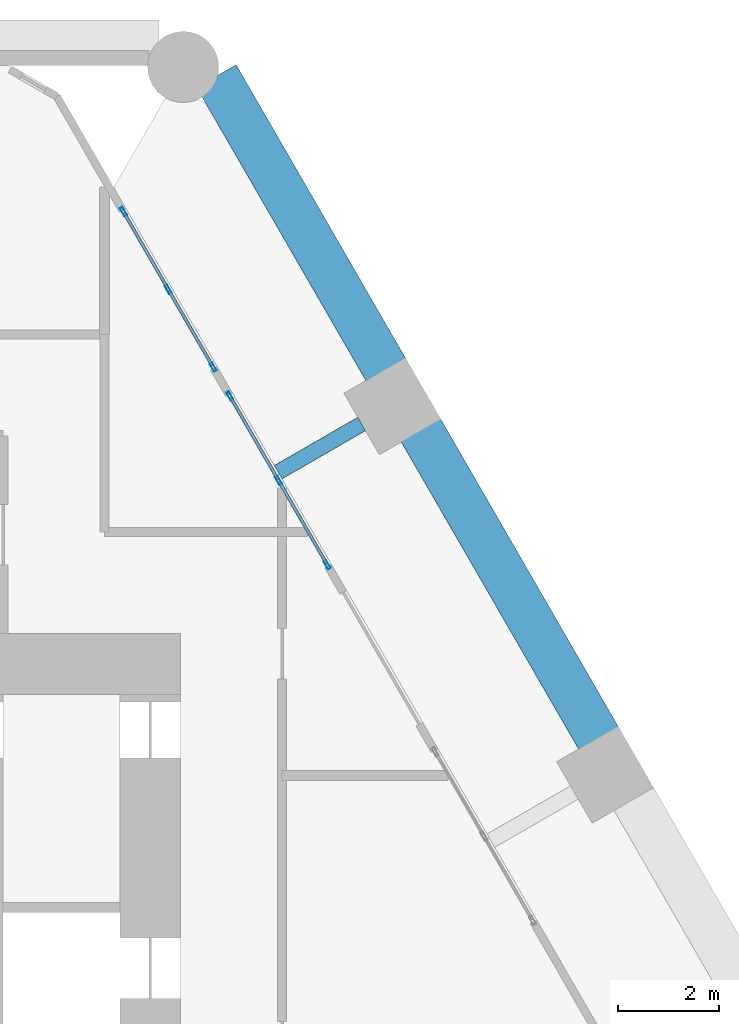
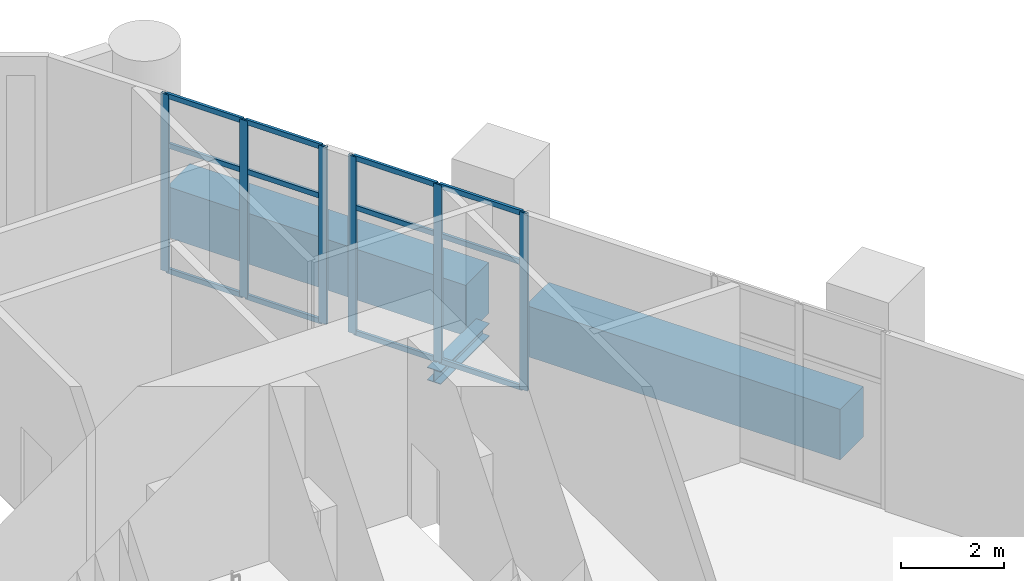
# One storey, part 11 of 18: 18 members, 3 beams, 2 elements without a shape of their own.
"""IFC4 building model written with IfcOpenShell, lengths in metres."""

from ifc_helpers import new_model, si_unit, direction, frame, origin, origin_2d, place, context, subcontext, project, spatial, rectangle, hollow_rectangle, i_section, extrude, material, material_profile, profile_set, type_object, element, aggregate, save


model = new_model("IFC4")

# Units and contexts
model_context = context("Model", 3, precision=1e-05, world=origin(), true_north=direction((0.0, 1.0)))
body_context = subcontext(model_context, "Body", "Model", "MODEL_VIEW")
ifc_project = project(units=[si_unit("LENGTHUNIT", "METRE"), si_unit("AREAUNIT", "SQUARE_METRE"), si_unit("VOLUMEUNIT", "CUBIC_METRE"), si_unit("PLANEANGLEUNIT", "RADIAN"), si_unit("MASSUNIT", "GRAM", prefix="KILO")], contexts=[model_context])

# Site, building, storey
site_placement = place(None, origin())
site = spatial("IfcSite", under=ifc_project, at=site_placement, CompositionType="ELEMENT")
building_placement = place(site_placement, origin())
building = spatial("IfcBuilding", under=site, at=building_placement, Name="Ostrander Bayou Hotel Tower", CompositionType="ELEMENT")
storey_placement = place(building_placement, frame((0.0, 0.0, 19.0)))
storey = spatial("IfcBuildingStorey", under=building, at=storey_placement, Name="L04", CompositionType="ELEMENT", Elevation=19.0)

# Curtain wall, members
ifc_material_1 = material(Name="Aluminium and clear glass", Category="aluminium")
curtain_wall_type = type_object("IfcCurtainWallType", Name="CW-SKY amenity glass wall", PredefinedType="NOTDEFINED", material=ifc_material_1)
curtain_wall_1_placement = place(storey_placement, origin())
curtain_wall_1 = element("IfcCurtainWall", 1, at=curtain_wall_1_placement, inside=storey, type_object=curtain_wall_type, Name="CW-SKY L04 NE 4", PredefinedType="NOTDEFINED")
ifc_material_2 = material(Name="Aluminium", Category="aluminium")
ifc_material_profile_1 = material_profile(ifc_material_2, hollow_rectangle(XDim=0.06005859375, YDim=0.179931640625, WallThickness=0.00390625, at=origin_2d()))
ifc_profile_set_1 = profile_set([ifc_material_profile_1], Name="Aluminium")
member_type_1 = type_object("IfcMemberType", Name="CW-SK mullion 60 x 180 mm", PredefinedType="MULLION", material=ifc_profile_set_1)
member_1_placement = place(storey_placement, frame((14.8916015625, 11.05712890625, 0.0), z_axis=(0.0, 0.0, 1.0), x_axis=(-0.866025463091, -0.499999897278, 0.0)))
member_1 = element("IfcMember", 2, at=member_1_placement, type_object=member_type_1, Name="CW-SKY mullion 1", PredefinedType="MULLION", context=body_context, shape_type="SweptSolid", body=[
    extrude(hollow_rectangle(XDim=0.06005859375, YDim=0.179931640625, WallThickness=0.00390625, at=origin_2d()), origin(), (0.0, 0.0, 1.0), 4.199951171875),
])
member_2_placement = place(storey_placement, frame((13.931396484375, 12.719970703125, 0.0), z_axis=(0.0, 0.0, 1.0), x_axis=(-0.866025463091, -0.499999897278, 0.0)))
member_2 = element("IfcMember", 3, at=member_2_placement, type_object=member_type_1, Name="CW-SKY mullion 2", PredefinedType="MULLION", context=body_context, shape_type="SweptSolid", body=[
    extrude(hollow_rectangle(XDim=0.06005859375, YDim=0.179931640625, WallThickness=0.00390625, at=origin_2d()), origin(), (0.0, 0.0, 1.0), 4.199951171875),
])
member_3_placement = place(storey_placement, frame((12.971435546875, 14.3828125, 0.0), z_axis=(0.0, 0.0, 1.0), x_axis=(-0.866025463091, -0.499999897278, 0.0)))
member_3 = element("IfcMember", 4, at=member_3_placement, type_object=member_type_1, Name="CW-SKY mullion 3", PredefinedType="MULLION", context=body_context, shape_type="SweptSolid", body=[
    extrude(hollow_rectangle(XDim=0.06005859375, YDim=0.179931640625, WallThickness=0.00390625, at=origin_2d()), origin(), (0.0, 0.0, 1.0), 4.199951171875),
])

curtain_wall_2_placement = place(storey_placement, origin())
curtain_wall_2 = element("IfcCurtainWall", 5, at=curtain_wall_2_placement, inside=storey, type_object=curtain_wall_type, Name="CW-SKY L04 NE 5", PredefinedType="NOTDEFINED")
member_4_placement = place(storey_placement, frame((12.6416015625, 14.954345703125, 0.0), z_axis=(0.0, 0.0, 1.0), x_axis=(-0.866025997283, -0.499998972029, 0.0)))
member_4 = element("IfcMember", 6, at=member_4_placement, type_object=member_type_1, Name="CW-SKY mullion 1", PredefinedType="MULLION", context=body_context, shape_type="SweptSolid", body=[
    extrude(hollow_rectangle(XDim=0.06005859375, YDim=0.179931640625, WallThickness=0.00390625, at=origin_2d()), origin(), (0.0, 0.0, 1.0), 4.199951171875),
])
member_5_placement = place(storey_placement, frame((11.756591796875, 16.487060546875, 0.0), z_axis=(0.0, 0.0, 1.0), x_axis=(-0.866025997283, -0.499998972029, 0.0)))
member_5 = element("IfcMember", 7, at=member_5_placement, type_object=member_type_1, Name="CW-SKY mullion 2", PredefinedType="MULLION", context=body_context, shape_type="SweptSolid", body=[
    extrude(hollow_rectangle(XDim=0.06005859375, YDim=0.179931640625, WallThickness=0.00390625, at=origin_2d()), origin(), (0.0, 0.0, 1.0), 4.199951171875),
])
member_6_placement = place(storey_placement, frame((10.87158203125, 18.02001953125, 0.0), z_axis=(0.0, 0.0, 1.0), x_axis=(-0.866025997283, -0.499998972029, 0.0)))
member_6 = element("IfcMember", 8, at=member_6_placement, type_object=member_type_1, Name="CW-SKY mullion 3", PredefinedType="MULLION", context=body_context, shape_type="SweptSolid", body=[
    extrude(hollow_rectangle(XDim=0.06005859375, YDim=0.179931640625, WallThickness=0.00390625, at=origin_2d()), origin(), (0.0, 0.0, 1.0), 4.199951171875),
])

# Member
ifc_material_3 = material(Name="Aluminium", Category="aluminium")
ifc_material_profile_2 = material_profile(ifc_material_3, hollow_rectangle(XDim=0.06005859375, YDim=0.1201171875, WallThickness=0.00390625, at=origin_2d()))
ifc_profile_set_2 = profile_set([ifc_material_profile_2], Name="Aluminium")
member_type_2 = type_object("IfcMemberType", Name="CW-SK transom 60 x 120 mm", PredefinedType="USERDEFINED", material=ifc_profile_set_2)
member_7_placement = place(storey_placement, frame((14.87646484375, 11.083251953125, 0.030029296875), z_axis=(-0.500021687003, 0.866012882425, 0.0), x_axis=(-0.866012882425, -0.500021687003, 0.0)))
member_7 = element("IfcMember", 9, at=member_7_placement, type_object=member_type_2, Name="CW-SKY transom 1.1", ObjectType="TRANSOM", PredefinedType="USERDEFINED", context=body_context, shape_type="SweptSolid", body=[
    extrude(hollow_rectangle(XDim=0.06005859375, YDim=0.1201171875, WallThickness=0.00390625, at=origin_2d()), origin(), (0.0, 0.0, 1.0), 1.85986328125),
])

member_8_placement = place(storey_placement, frame((14.87646484375, 11.083251953125, 3.0), z_axis=(-0.500021687003, 0.866012882425, 0.0), x_axis=(-0.866012882425, -0.500021687003, 0.0)))
member_8 = element("IfcMember", 10, at=member_8_placement, type_object=member_type_2, Name="CW-SKY transom 1.2", ObjectType="TRANSOM", PredefinedType="USERDEFINED", context=body_context, shape_type="SweptSolid", body=[
    extrude(hollow_rectangle(XDim=0.06005859375, YDim=0.1201171875, WallThickness=0.00390625, at=origin_2d()), origin(), (0.0, 0.0, 1.0), 1.85986328125),
])

member_9_placement = place(storey_placement, frame((14.87646484375, 11.083251953125, 4.169921875), z_axis=(-0.500021687003, 0.866012882425, 0.0), x_axis=(-0.866012882425, -0.500021687003, 0.0)))
member_9 = element("IfcMember", 11, at=member_9_placement, type_object=member_type_2, Name="CW-SKY transom 1.3", ObjectType="TRANSOM", PredefinedType="USERDEFINED", context=body_context, shape_type="SweptSolid", body=[
    extrude(hollow_rectangle(XDim=0.06005859375, YDim=0.1201171875, WallThickness=0.00390625, at=origin_2d()), origin(), (0.0, 0.0, 1.0), 1.85986328125),
])

member_10_placement = place(storey_placement, frame((13.91650390625, 12.745849609375, 0.030029296875), z_axis=(-0.499964847546, 0.866045698112, 0.0), x_axis=(-0.866045698112, -0.499964847546, 0.0)))
member_10 = element("IfcMember", 12, at=member_10_placement, type_object=member_type_2, Name="CW-SKY transom 2.1", ObjectType="TRANSOM", PredefinedType="USERDEFINED", context=body_context, shape_type="SweptSolid", body=[
    extrude(hollow_rectangle(XDim=0.06005859375, YDim=0.1201171875, WallThickness=0.00390625, at=origin_2d()), origin(), (0.0, 0.0, 1.0), 1.860107421875),
])

member_11_placement = place(storey_placement, frame((13.91650390625, 12.745849609375, 3.0), z_axis=(-0.499964847546, 0.866045698112, 0.0), x_axis=(-0.866045698112, -0.499964847546, 0.0)))
member_11 = element("IfcMember", 13, at=member_11_placement, type_object=member_type_2, Name="CW-SKY transom 2.2", ObjectType="TRANSOM", PredefinedType="USERDEFINED", context=body_context, shape_type="SweptSolid", body=[
    extrude(hollow_rectangle(XDim=0.06005859375, YDim=0.1201171875, WallThickness=0.00390625, at=origin_2d()), origin(), (0.0, 0.0, 1.0), 1.860107421875),
])

member_12_placement = place(storey_placement, frame((13.91650390625, 12.745849609375, 4.169921875), z_axis=(-0.499964847546, 0.866045698112, 0.0), x_axis=(-0.866045698112, -0.499964847546, 0.0)))
member_12 = element("IfcMember", 14, at=member_12_placement, type_object=member_type_2, Name="CW-SKY transom 2.3", ObjectType="TRANSOM", PredefinedType="USERDEFINED", context=body_context, shape_type="SweptSolid", body=[
    extrude(hollow_rectangle(XDim=0.06005859375, YDim=0.1201171875, WallThickness=0.00390625, at=origin_2d()), origin(), (0.0, 0.0, 1.0), 1.860107421875),
])

aggregate(curtain_wall_1, [member_1, member_2, member_3, member_7, member_8, member_9, member_10, member_11, member_12])

member_13_placement = place(storey_placement, frame((12.62646484375, 14.980224609375, 0.030029296875), z_axis=(-0.499977863513, 0.866038183914, 0.0), x_axis=(-0.866038183914, -0.499977863513, 0.0)))
member_13 = element("IfcMember", 15, at=member_13_placement, type_object=member_type_2, Name="CW-SKY transom 1.1", ObjectType="TRANSOM", PredefinedType="USERDEFINED", context=body_context, shape_type="SweptSolid", body=[
    extrude(hollow_rectangle(XDim=0.06005859375, YDim=0.1201171875, WallThickness=0.00390625, at=origin_2d()), origin(), (0.0, 0.0, 1.0), 1.7099609375),
])

member_14_placement = place(storey_placement, frame((12.62646484375, 14.980224609375, 3.0), z_axis=(-0.499977863513, 0.866038183914, 0.0), x_axis=(-0.866038183914, -0.499977863513, 0.0)))
member_14 = element("IfcMember", 16, at=member_14_placement, type_object=member_type_2, Name="CW-SKY transom 1.2", ObjectType="TRANSOM", PredefinedType="USERDEFINED", context=body_context, shape_type="SweptSolid", body=[
    extrude(hollow_rectangle(XDim=0.06005859375, YDim=0.1201171875, WallThickness=0.00390625, at=origin_2d()), origin(), (0.0, 0.0, 1.0), 1.7099609375),
])

member_15_placement = place(storey_placement, frame((12.62646484375, 14.980224609375, 4.169921875), z_axis=(-0.499977863513, 0.866038183914, 0.0), x_axis=(-0.866038183914, -0.499977863513, 0.0)))
member_15 = element("IfcMember", 17, at=member_15_placement, type_object=member_type_2, Name="CW-SKY transom 1.3", ObjectType="TRANSOM", PredefinedType="USERDEFINED", context=body_context, shape_type="SweptSolid", body=[
    extrude(hollow_rectangle(XDim=0.06005859375, YDim=0.1201171875, WallThickness=0.00390625, at=origin_2d()), origin(), (0.0, 0.0, 1.0), 1.7099609375),
])

member_16_placement = place(storey_placement, frame((11.741455078125, 16.51318359375, 0.030029296875), z_axis=(-0.499977863513, 0.866038183914, 0.0), x_axis=(-0.866038183914, -0.499977863513, 0.0)))
member_16 = element("IfcMember", 18, at=member_16_placement, type_object=member_type_2, Name="CW-SKY transom 2.1", ObjectType="TRANSOM", PredefinedType="USERDEFINED", context=body_context, shape_type="SweptSolid", body=[
    extrude(hollow_rectangle(XDim=0.06005859375, YDim=0.1201171875, WallThickness=0.00390625, at=origin_2d()), origin(), (0.0, 0.0, 1.0), 1.7099609375),
])

member_17_placement = place(storey_placement, frame((11.741455078125, 16.51318359375, 3.0), z_axis=(-0.499977863513, 0.866038183914, 0.0), x_axis=(-0.866038183914, -0.499977863513, 0.0)))
member_17 = element("IfcMember", 19, at=member_17_placement, type_object=member_type_2, Name="CW-SKY transom 2.2", ObjectType="TRANSOM", PredefinedType="USERDEFINED", context=body_context, shape_type="SweptSolid", body=[
    extrude(hollow_rectangle(XDim=0.06005859375, YDim=0.1201171875, WallThickness=0.00390625, at=origin_2d()), origin(), (0.0, 0.0, 1.0), 1.7099609375),
])

member_18_placement = place(storey_placement, frame((11.741455078125, 16.51318359375, 4.169921875), z_axis=(-0.499977863513, 0.866038183914, 0.0), x_axis=(-0.866038183914, -0.499977863513, 0.0)))
member_18 = element("IfcMember", 20, at=member_18_placement, type_object=member_type_2, Name="CW-SKY transom 2.3", ObjectType="TRANSOM", PredefinedType="USERDEFINED", context=body_context, shape_type="SweptSolid", body=[
    extrude(hollow_rectangle(XDim=0.06005859375, YDim=0.1201171875, WallThickness=0.00390625, at=origin_2d()), origin(), (0.0, 0.0, 1.0), 1.7099609375),
])

aggregate(curtain_wall_2, [member_4, member_5, member_6, member_13, member_14, member_15, member_16, member_17, member_18])

# Beams
ifc_material_4 = material(Name="Steel ASTM A992", Category="steel")
ifc_material_profile_3 = material_profile(ifc_material_4, i_section(OverallWidth=0.3046875, OverallDepth=0.307861328125, WebThickness=0.010009765625, FlangeThickness=0.015380859375, at=origin_2d()))
ifc_profile_set_3 = profile_set([ifc_material_profile_3], Name="Steel ASTM A992")
beam_type_1 = type_object("IfcBeamType", Name="LB1 loggia bracket W12x65", PredefinedType="BEAM", material=ifc_profile_set_3)
beam_1_placement = place(storey_placement, frame((15.569091796875, 13.833251953125, -0.453857421875), z_axis=(-0.86601224135, -0.500022797313, 0.0), x_axis=(0.500022797313, -0.86601224135, 0.0)))
element("IfcBeam", 21, at=beam_1_placement, inside=storey, type_object=beam_type_1, Name="LB1 L04 NE2", PredefinedType="BEAM", context=body_context, shape_type="SweptSolid", body=[
    extrude(i_section(OverallWidth=0.3046875, OverallDepth=0.307861328125, WebThickness=0.010009765625, FlangeThickness=0.015380859375, at=origin_2d()), origin(), (0.0, 0.0, 1.0), 1.89990234375),
])
ifc_material_5 = material(Name="Concrete f'c 70 MPa", Category="concrete")
ifc_material_profile_4 = material_profile(ifc_material_5, rectangle(XDim=0.89990234375, YDim=1.199951171875, at=origin_2d()))
ifc_profile_set_4 = profile_set([ifc_material_profile_4], Name="Concrete f'c 70 MPa")
beam_type_2 = type_object("IfcBeamType", Name="SP1 spandrel beam 900 x 1200 mm f'c 70 MPa", PredefinedType="SPANDREL", material=ifc_profile_set_4)
beam_2_placement = place(storey_placement, frame((20.252197265625, 7.621826171875, -0.60009765625), z_axis=(-0.499997206141, 0.866027016814, 0.0), x_axis=(-0.866027016814, -0.499997206141, 0.0)))
element("IfcBeam", 22, at=beam_2_placement, inside=storey, type_object=beam_type_2, Name="SP1 L04 NE-2", PredefinedType="SPANDREL", context=body_context, shape_type="SweptSolid", body=[
    extrude(rectangle(XDim=0.89990234375, YDim=1.199951171875, at=origin_2d()), origin(), (0.0, 0.0, 1.0), 7.05078125),
])
beam_3_placement = place(storey_placement, frame((16.056884765625, 14.888671875, -0.60009765625), z_axis=(-0.500005133765, 0.866022439784, 0.0), x_axis=(-0.866022439784, -0.500005133765, 0.0)))
element("IfcBeam", 23, at=beam_3_placement, inside=storey, type_object=beam_type_2, Name="SP1 L04 NE-3", PredefinedType="SPANDREL", context=body_context, shape_type="SweptSolid", body=[
    extrude(rectangle(XDim=0.89990234375, YDim=1.199951171875, at=origin_2d()), origin(), (0.0, 0.0, 1.0), 6.70361328125),
])

save(model, "model.ifc")
